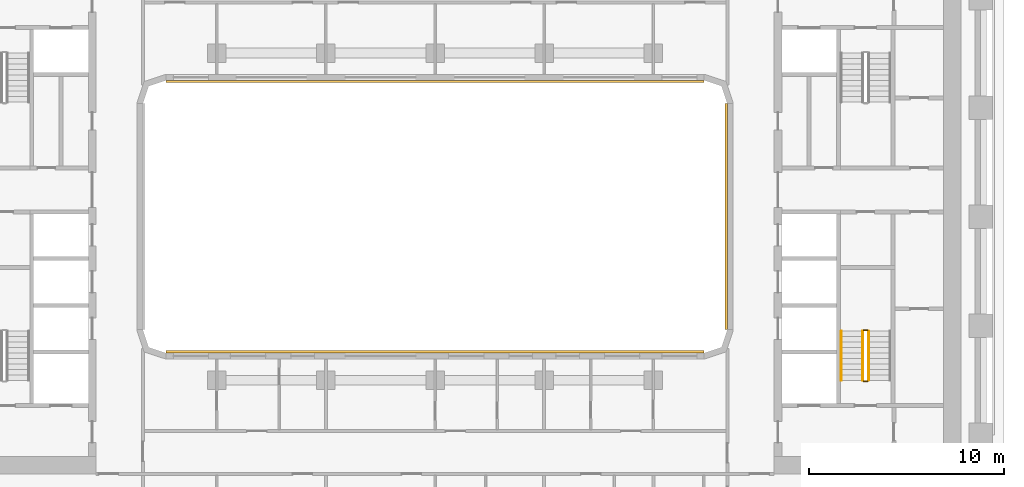
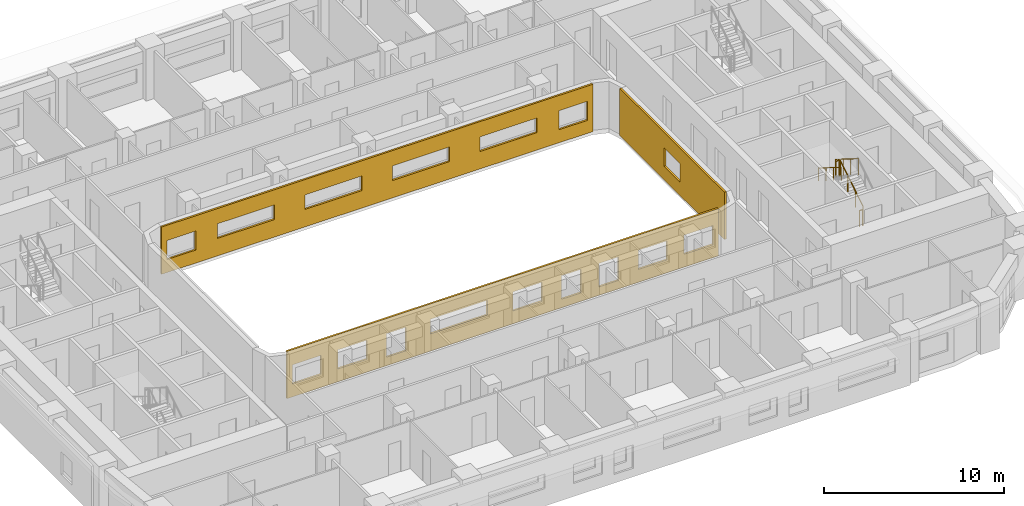
# One storey, part 18 of 23: 5 railings, 3 coverings.
"""IFC4 building model written with IfcOpenShell, lengths in metres."""

from ifc_helpers import new_model, si_unit, direction, frame, origin, origin_2d, place, context, subcontext, project, spatial, polyline, circle, outline, extrude, material, layer, layer_set, type_object, element, save


model = new_model("IFC4")

# Units and contexts
model_context = context("Model", 3, precision=1e-05, world=origin(), true_north=direction((0.0, 1.0)))
body_context = subcontext(model_context, "Body", "Model", "MODEL_VIEW")
ifc_project = project(units=[si_unit("LENGTHUNIT", "METRE"), si_unit("AREAUNIT", "SQUARE_METRE"), si_unit("VOLUMEUNIT", "CUBIC_METRE"), si_unit("PLANEANGLEUNIT", "RADIAN"), si_unit("MASSUNIT", "GRAM", prefix="KILO")], contexts=[model_context])

# Site, building, storey
site_placement = place(None, origin())
site = spatial("IfcSite", under=ifc_project, at=site_placement, CompositionType="ELEMENT")
building_placement = place(site_placement, origin())
building = spatial("IfcBuilding", under=site, at=building_placement, Name="Kiln Ring Residences", CompositionType="ELEMENT")
storey_placement = place(building_placement, frame((0.0, 0.0, 118.300048828125)))
storey = spatial("IfcBuildingStorey", under=building, at=storey_placement, Name="L30", CompositionType="ELEMENT", Elevation=118.300048828125)

# Railings
ifc_material_1 = material(Name="Stainless steel", Category="steel")
railing_type_1 = type_object("IfcRailingType", Name="CORE-STAIR-GUARD", PredefinedType="GUARDRAIL", material=ifc_material_1)
railing_1_placement = place(storey_placement, frame((22.25, -8.39990234375, 0.175048828125)))
element("IfcRailing", 1, at=railing_1_placement, inside=storey, type_object=railing_type_1, Name="L30 E-STS stair guard 1", PredefinedType="GUARDRAIL", context=body_context, shape_type="SweptSolid", body=[
    extrude(circle(Radius=0.02392578125, at=origin_2d()), frame((0.0, 0.0, 1.076171875), z_axis=(0.0, 0.848007534815, 0.529984170421), x_axis=(-1.0, 0.0, 0.0)), (0.0, 0.0, 1.0), 2.9716796875),
    extrude(circle(Radius=0.02099609375, at=origin_2d()), origin(), (0.0, 0.0, 1.0), 1.052001953125),
    extrude(circle(Radius=0.02099609375, at=origin_2d()), frame((0.0, 0.840087890625, 0.52490234375)), (0.0, 0.0, 1.0), 1.052001953125),
    extrude(circle(Radius=0.02099609375, at=origin_2d()), frame((0.0, 1.679931640625, 1.050048828125)), (0.0, 0.0, 1.0), 1.052001953125),
    extrude(circle(Radius=0.02099609375, at=origin_2d()), frame((0.0, 2.52001953125, 1.574951171875)), (0.0, 0.0, 1.0), 1.052001953125),
])
railing_2_placement = place(storey_placement, frame((22.199951171875, -5.830078125, 1.75)))
element("IfcRailing", 2, at=railing_2_placement, inside=storey, type_object=railing_type_1, Name="L30 E-STS stair guard 2", PredefinedType="GUARDRAIL", context=body_context, shape_type="SweptSolid", body=[
    extrude(circle(Radius=0.02392578125, at=origin_2d()), frame((0.0, 0.0, 1.076171875), z_axis=(-1.0, 0.0, 0.0), x_axis=(0.0, -1.0, 0.0)), (0.0, 0.0, 1.0), 0.199951171875),
    extrude(circle(Radius=0.02099609375, at=origin_2d()), origin(), (0.0, 0.0, 1.0), 1.052001953125),
    extrude(circle(Radius=0.02099609375, at=origin_2d()), frame((-0.199951171875, 0.0, 0.0)), (0.0, 0.0, 1.0), 1.052001953125),
])
railing_3_placement = place(storey_placement, frame((21.949951171875, -5.8798828125, 1.925048828125)))
element("IfcRailing", 3, at=railing_3_placement, inside=storey, type_object=railing_type_1, Name="L30 E-STS stair guard 3", PredefinedType="GUARDRAIL", context=body_context, shape_type="SweptSolid", body=[
    extrude(circle(Radius=0.02392578125, at=origin_2d()), frame((0.0, 0.0, 1.076171875), z_axis=(0.0, -0.848007534815, 0.529984170421), x_axis=(1.0, 0.0, 0.0)), (0.0, 0.0, 1.0), 2.9716796875),
    extrude(circle(Radius=0.02099609375, at=origin_2d()), origin(), (0.0, 0.0, 1.0), 1.052001953125),
    extrude(circle(Radius=0.02099609375, at=origin_2d()), frame((0.0, -0.840087890625, 0.52490234375)), (0.0, 0.0, 1.0), 1.052001953125),
    extrude(circle(Radius=0.02099609375, at=origin_2d()), frame((0.0, -1.679931640625, 1.050048828125)), (0.0, 0.0, 1.0), 1.052001953125),
    extrude(circle(Radius=0.02099609375, at=origin_2d()), frame((0.0, -2.52001953125, 1.574951171875)), (0.0, 0.0, 1.0), 1.052001953125),
])
railing_4_placement = place(storey_placement, frame((22.199951171875, -8.449951171875, 0.0)))
element("IfcRailing", 4, at=railing_4_placement, inside=storey, type_object=railing_type_1, Name="L30 E-STS stair guard 4", PredefinedType="GUARDRAIL", context=body_context, shape_type="SweptSolid", body=[
    extrude(circle(Radius=0.02392578125, at=origin_2d()), frame((0.0, 0.0, 1.076171875), z_axis=(-1.0, 0.0, 0.0), x_axis=(0.0, -1.0, 0.0)), (0.0, 0.0, 1.0), 0.199951171875),
    extrude(circle(Radius=0.02099609375, at=origin_2d()), origin(), (0.0, 0.0, 1.0), 1.052001953125),
    extrude(circle(Radius=0.02099609375, at=origin_2d()), frame((-0.199951171875, 0.0, 0.0)), (0.0, 0.0, 1.0), 1.052001953125),
])
ifc_material_2 = material(Name="Stainless steel", Category="steel")
railing_type_2 = type_object("IfcRailingType", Name="CORE-STAIR-HANDRAIL", PredefinedType="HANDRAIL", material=ifc_material_2)
railing_5_placement = place(storey_placement, frame((20.85009765625, -5.8798828125, 1.925048828125)))
element("IfcRailing", 5, at=railing_5_placement, inside=storey, type_object=railing_type_2, Name="L30 E-STS stair handrail 2", PredefinedType="HANDRAIL", context=body_context, shape_type="SweptSolid", body=[
    extrude(circle(Radius=0.02392578125, at=origin_2d()), frame((0.0, 0.0, 0.8759765625), z_axis=(0.0, -0.848007534815, 0.529984170421), x_axis=(1.0, 0.0, 0.0)), (0.0, 0.0, 1.0), 2.9716796875),
    extrude(circle(Radius=0.02099609375, at=origin_2d()), origin(), (0.0, 0.0, 1.0), 0.851806640625),
    extrude(circle(Radius=0.02099609375, at=origin_2d()), frame((0.0, -0.840087890625, 0.52490234375)), (0.0, 0.0, 1.0), 0.851806640625),
    extrude(circle(Radius=0.02099609375, at=origin_2d()), frame((0.0, -1.679931640625, 1.050048828125)), (0.0, 0.0, 1.0), 0.851806640625),
    extrude(circle(Radius=0.02099609375, at=origin_2d()), frame((0.0, -2.52001953125, 1.574951171875)), (0.0, 0.0, 1.0), 0.851806640625),
])

# Coverings
ifc_material_3 = material(Name="Brick masonry, dark clay brick", Category="masonry")
ifc_layer = layer(ifc_material_3, 0.1201171875)
ifc_layer_set = layer_set([ifc_layer], Name="RAINSCREEN PANEL 120")
covering_type = type_object("IfcCoveringType", Name="RAINSCREEN PANEL 120", PredefinedType="CLADDING", material=ifc_layer_set)
covering_1_placement = place(storey_placement, frame((-13.800048828125, 6.93994140625, 0.0), z_axis=(0.0, 0.0, 1.0), x_axis=(1.0, 0.0, 0.0)))
element("IfcCovering", 6, at=covering_1_placement, inside=storey, type_object=covering_type, Name="RAINSCREEN L30", PredefinedType="CLADDING", context=body_context, shape_type="SweptSolid", body=[
    extrude(outline(polyline([(0.0, 0.0), (27.60009765625, 0.0), (27.60009765625, 3.199951171875), (0.0, 3.199951171875), (0.0, 0.0)]), holes=[polyline([(2.1826171875, 0.8798828125), (2.1826171875, 2.169921875), (0.342529296875, 2.169921875), (0.342529296875, 0.8798828125), (2.1826171875, 0.8798828125)]), polyline([(25.41748046875, 0.8798828125), (27.257568359375, 0.8798828125), (27.257568359375, 2.169921875), (25.41748046875, 2.169921875), (25.41748046875, 0.8798828125)]), polyline([(3.580078125, 1.179931640625), (7.219970703125, 1.179931640625), (7.219970703125, 2.169921875), (3.580078125, 2.169921875), (3.580078125, 1.179931640625)]), polyline([(12.820068359375, 1.179931640625), (12.820068359375, 2.169921875), (9.179931640625, 2.169921875), (9.179931640625, 1.179931640625), (12.820068359375, 1.179931640625)]), polyline([(14.780029296875, 1.179931640625), (18.419921875, 1.179931640625), (18.419921875, 2.169921875), (14.780029296875, 2.169921875), (14.780029296875, 1.179931640625)]), polyline([(20.3798828125, 1.179931640625), (24.02001953125, 1.179931640625), (24.02001953125, 2.169921875), (20.3798828125, 2.169921875), (20.3798828125, 1.179931640625)])]), frame((0.0, 0.06005859375, 0.0), z_axis=(0.0, -1.0, 0.0), x_axis=(1.0, 0.0, 0.0)), (0.0, 0.0, 1.0), 0.1201171875),
])
covering_2_placement = place(storey_placement, frame((14.93994140625, 5.800048828125, 0.0), z_axis=(0.0, 0.0, 1.0), x_axis=(0.0, -1.0, 0.0)))
element("IfcCovering", 7, at=covering_2_placement, inside=storey, type_object=covering_type, Name="RAINSCREEN L30", PredefinedType="CLADDING", context=body_context, shape_type="SweptSolid", body=[
    extrude(outline(polyline([(0.0, 0.0), (11.60009765625, 0.0), (11.60009765625, 3.199951171875), (0.0, 3.199951171875), (0.0, 0.0)]), holes=[polyline([(4.89990234375, 2.14990234375), (4.89990234375, 0.89990234375), (6.699951171875, 0.89990234375), (6.699951171875, 2.14990234375), (4.89990234375, 2.14990234375)])]), frame((0.0, 0.06005859375, 0.0), z_axis=(0.0, -1.0, 0.0), x_axis=(1.0, 0.0, 0.0)), (0.0, 0.0, 1.0), 0.1201171875),
])
covering_3_placement = place(storey_placement, frame((13.800048828125, -6.93994140625, 0.0), z_axis=(0.0, 0.0, 1.0), x_axis=(-1.0, 0.0, 0.0)))
element("IfcCovering", 8, at=covering_3_placement, inside=storey, type_object=covering_type, Name="RAINSCREEN L30", PredefinedType="CLADDING", context=body_context, shape_type="SweptSolid", body=[
    extrude(outline(polyline([(0.0, 0.0), (27.60009765625, 0.0), (27.60009765625, 3.199951171875), (0.0, 3.199951171875), (0.0, 0.0)]), holes=[polyline([(6.3798828125, 0.579833984375), (7.6201171875, 0.579833984375), (7.6201171875, 2.169921875), (6.3798828125, 2.169921875), (6.3798828125, 0.579833984375)]), polyline([(8.780029296875, 0.579833984375), (10.02001953125, 0.579833984375), (10.02001953125, 2.169921875), (8.780029296875, 2.169921875), (8.780029296875, 0.579833984375)]), polyline([(19.97998046875, 0.579833984375), (21.219970703125, 0.579833984375), (21.219970703125, 2.169921875), (19.97998046875, 2.169921875), (19.97998046875, 0.579833984375)]), polyline([(0.342529296875, 0.8798828125), (2.1826171875, 0.8798828125), (2.1826171875, 2.169921875), (0.342529296875, 2.169921875), (0.342529296875, 0.8798828125)]), polyline([(3.280029296875, 0.8798828125), (5.1201171875, 0.8798828125), (5.1201171875, 2.169921875), (3.280029296875, 2.169921875), (3.280029296875, 0.8798828125)]), polyline([(11.280029296875, 0.8798828125), (13.1201171875, 0.8798828125), (13.1201171875, 2.169921875), (11.280029296875, 2.169921875), (11.280029296875, 0.8798828125)]), polyline([(22.47998046875, 0.8798828125), (24.320068359375, 0.8798828125), (24.320068359375, 2.169921875), (22.47998046875, 2.169921875), (22.47998046875, 0.8798828125)]), polyline([(25.41748046875, 2.169921875), (25.41748046875, 0.8798828125), (27.257568359375, 0.8798828125), (27.257568359375, 2.169921875), (25.41748046875, 2.169921875)]), polyline([(14.780029296875, 2.169921875), (14.780029296875, 1.179931640625), (18.419921875, 1.179931640625), (18.419921875, 2.169921875), (14.780029296875, 2.169921875)])]), frame((0.0, 0.06005859375, 0.0), z_axis=(0.0, -1.0, 0.0), x_axis=(1.0, 0.0, 0.0)), (0.0, 0.0, 1.0), 0.1201171875),
])

save(model, "model.ifc")
